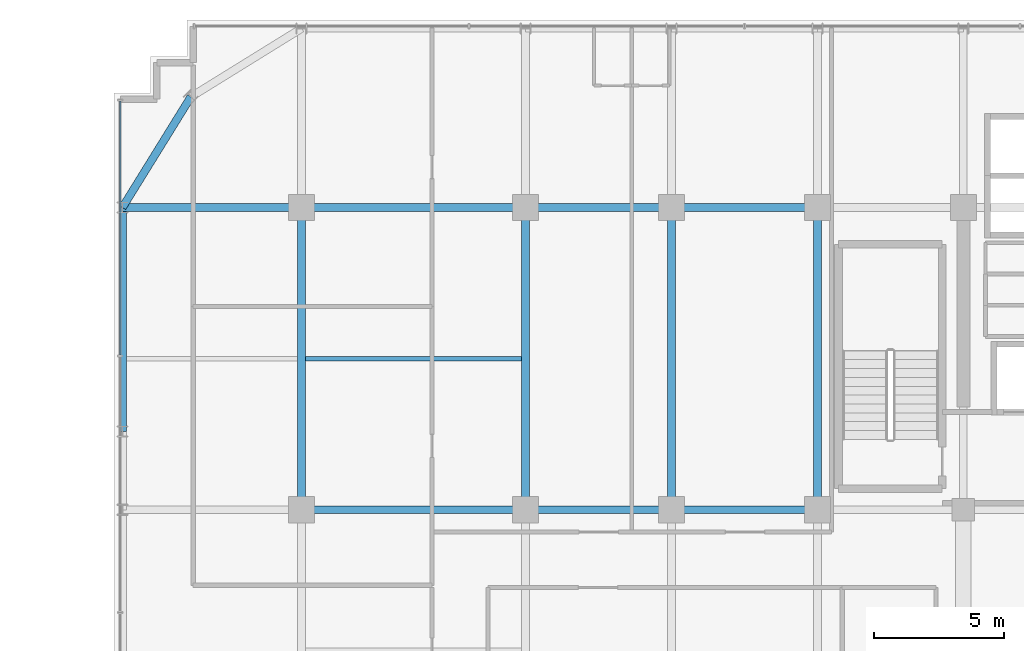
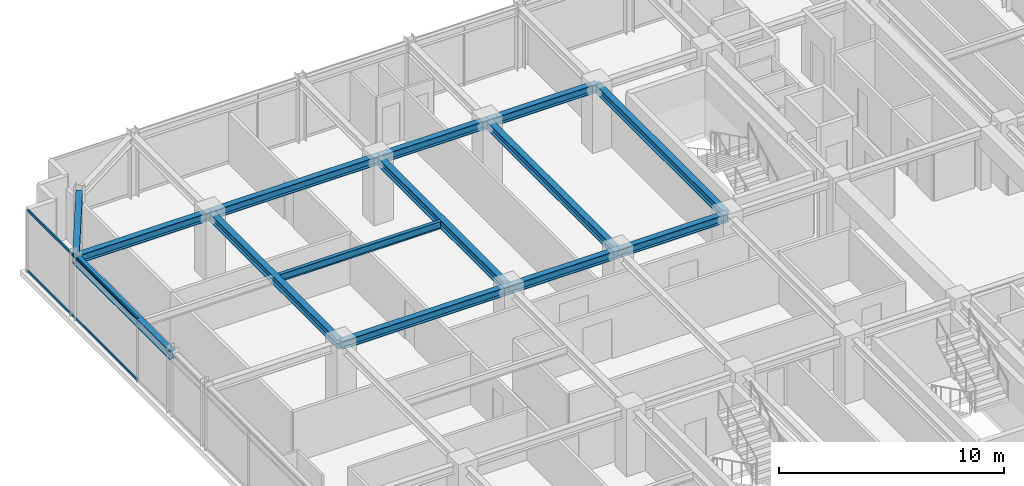
# One storey, part 19 of 35: 14 beams, 2 members, 1 element without a shape of its own.
"""IFC4 building model written with IfcOpenShell, lengths in metres."""

from ifc_helpers import new_model, si_unit, direction, frame, origin, origin_2d, place, context, subcontext, project, spatial, hollow_rectangle, i_section, extrude, source, transform, mapped, material, material_profile, profile_set, type_object, element, aggregate, save


model = new_model("IFC4")

# Units and contexts
model_context = context("Model", 3, precision=1e-05, world=origin(), true_north=direction((0.0, 1.0)))
body_context = subcontext(model_context, "Body", "Model", "MODEL_VIEW")
ifc_project = project(units=[si_unit("LENGTHUNIT", "METRE"), si_unit("AREAUNIT", "SQUARE_METRE"), si_unit("VOLUMEUNIT", "CUBIC_METRE"), si_unit("PLANEANGLEUNIT", "RADIAN"), si_unit("MASSUNIT", "GRAM", prefix="KILO")], contexts=[model_context])

# Site, building, storey
site_placement = place(None, origin())
site = spatial("IfcSite", under=ifc_project, at=site_placement, CompositionType="ELEMENT")
building_placement = place(site_placement, origin())
building = spatial("IfcBuilding", under=site, at=building_placement, Name="Nahalor Promenade Grand Hotel", CompositionType="ELEMENT")
storey_placement = place(building_placement, frame((0.0, 0.0, 245.60009765625)))
storey = spatial("IfcBuildingStorey", under=building, at=storey_placement, Name="L63", CompositionType="ELEMENT", Elevation=245.60009765625)

# Beams
ifc_material_1 = material(Name="Steel S355JR", Category="steel")
ifc_material_profile_1 = material_profile(ifc_material_1, i_section(OverallWidth=0.3, OverallDepth=0.45, WebThickness=0.014, FlangeThickness=0.026, at=origin_2d()), Name="HEB 450")
ifc_profile_set_1 = profile_set([ifc_material_profile_1], Name="Steel S355JR")
beam_type_1 = type_object("IfcBeamType", Name="Beam-Spandrel-HEB450", PredefinedType="SPANDREL", material=ifc_profile_set_1)
shared_shape_1 = source(origin(), body_context, "Body", "SweptSolid", [
    extrude(i_section(OverallWidth=0.3, OverallDepth=0.45, WebThickness=0.014, FlangeThickness=0.026, at=origin_2d()), origin(), (0.0, 0.0, 1.0), 8.60009765625),
])
beam_1_placement = place(storey_placement, frame((-23.8798828125, 8.39990234375, 3.184814453125), z_axis=(0.0, 1.0, 0.0), x_axis=(-1.0, 0.0, 0.0)))
element("IfcBeam", 1, at=beam_1_placement, inside=storey, type_object=beam_type_1, Name="BM-L63-SP-W-4", PredefinedType="SPANDREL", context=body_context, shape_type="MappedRepresentation", body=[
    mapped(shared_shape_1, transform((0.0, 0.0, 0.0), scale=1.0)),
])
shared_shape_2 = source(origin(), body_context, "Body", "SweptSolid", [
    extrude(i_section(OverallWidth=0.3, OverallDepth=0.45, WebThickness=0.014, FlangeThickness=0.026, at=origin_2d()), origin(), (0.0, 0.0, 1.0), 4.997802734375),
])
beam_2_placement = place(storey_placement, frame((-21.25, 21.25, 3.184814453125), z_axis=(-0.526199891161, -0.850360908404, 0.0), x_axis=(0.850360908404, -0.526199891161, 0.0)))
element("IfcBeam", 2, at=beam_2_placement, inside=storey, type_object=beam_type_1, Name="BM-L63-SPC-NW-2", PredefinedType="SPANDREL", context=body_context, shape_type="MappedRepresentation", body=[
    mapped(shared_shape_2, transform((0.0, 0.0, 0.0), scale=1.0)),
])
ifc_material_profile_2 = material_profile(ifc_material_1, i_section(OverallWidth=0.3, OverallDepth=0.45, WebThickness=0.014, FlangeThickness=0.026, at=origin_2d()), Name="HEB 450")
ifc_profile_set_2 = profile_set([ifc_material_profile_2], Name="Steel S355JR")
beam_type_2 = type_object("IfcBeamType", Name="Beam-Girder-HEB450", PredefinedType="BEAM", material=ifc_profile_set_2)
shared_shape_3 = source(origin(), body_context, "Body", "SweptSolid", [
    extrude(i_section(OverallWidth=0.3, OverallDepth=0.45, WebThickness=0.014, FlangeThickness=0.026, at=origin_2d()), origin(), (0.0, 0.0, 1.0), 6.8798828125),
])
beam_3_placement = place(storey_placement, frame((-23.8798828125, 17.0, 3.184814453125), z_axis=(1.0, 0.0, 0.0), x_axis=(0.0, 1.0, 0.0)))
element("IfcBeam", 3, at=beam_3_placement, inside=storey, type_object=beam_type_2, Name="BM-L63-GX-3-0", PredefinedType="BEAM", context=body_context, shape_type="MappedRepresentation", body=[
    mapped(shared_shape_3, transform((0.0, 0.0, 0.0), scale=1.0)),
])
shared_shape_4 = source(origin(), body_context, "Body", "SweptSolid", [
    extrude(i_section(OverallWidth=0.3, OverallDepth=0.45, WebThickness=0.014, FlangeThickness=0.026, at=origin_2d()), origin(), (0.0, 0.0, 1.0), 8.60009765625),
])
for number, where, z_axis, x_axis, name in (
    (4, (-17.0, 5.39990234375, 3.184814453125), (1.0, 0.0, 0.0), (0.0, 1.0, 0.0), "BM-L63-GX-2-1"),
    (5, (-17.0, 17.0, 3.184814453125), (1.0, 0.0, 0.0), (0.0, 1.0, 0.0), "BM-L63-GX-3-1"),
):
    element("IfcBeam", number, at=place(storey_placement, frame(where, z_axis=z_axis, x_axis=x_axis)), inside=storey, type_object=beam_type_2, Name=name, PredefinedType="BEAM", context=body_context, shape_type="MappedRepresentation", body=[
        mapped(shared_shape_4, transform((0.0, 0.0, 0.0), scale=1.0)),
    ])
shared_shape_5 = source(origin(), body_context, "Body", "SweptSolid", [
    extrude(i_section(OverallWidth=0.3, OverallDepth=0.45, WebThickness=0.014, FlangeThickness=0.026, at=origin_2d()), origin(), (0.0, 0.0, 1.0), 5.599853515625),
])
for number, where, z_axis, x_axis, name in (
    (6, (-8.39990234375, 5.39990234375, 3.184814453125), (1.0, 0.0, 0.0), (0.0, 1.0, 0.0), "BM-L63-GX-2-2"),
    (7, (-8.39990234375, 17.0, 3.184814453125), (1.0, 0.0, 0.0), (0.0, 1.0, 0.0), "BM-L63-GX-3-2"),
):
    element("IfcBeam", number, at=place(storey_placement, frame(where, z_axis=z_axis, x_axis=x_axis)), inside=storey, type_object=beam_type_2, Name=name, PredefinedType="BEAM", context=body_context, shape_type="MappedRepresentation", body=[
        mapped(shared_shape_5, transform((0.0, 0.0, 0.0), scale=1.0)),
    ])
shared_shape_6 = source(origin(), body_context, "Body", "SweptSolid", [
    extrude(i_section(OverallWidth=0.3, OverallDepth=0.45, WebThickness=0.014, FlangeThickness=0.026, at=origin_2d()), origin(), (0.0, 0.0, 1.0), 5.60009765625),
])
for number, where, z_axis, x_axis, name in (
    (8, (-2.800048828125, 5.39990234375, 3.184814453125), (1.0, 0.0, 0.0), (0.0, 1.0, 0.0), "BM-L63-GX-2-3"),
    (9, (-2.800048828125, 17.0, 3.184814453125), (1.0, 0.0, 0.0), (0.0, 1.0, 0.0), "BM-L63-GX-3-3"),
):
    element("IfcBeam", number, at=place(storey_placement, frame(where, z_axis=z_axis, x_axis=x_axis)), inside=storey, type_object=beam_type_2, Name=name, PredefinedType="BEAM", context=body_context, shape_type="MappedRepresentation", body=[
        mapped(shared_shape_6, transform((0.0, 0.0, 0.0), scale=1.0)),
    ])
shared_shape_7 = source(origin(), body_context, "Body", "SweptSolid", [
    extrude(i_section(OverallWidth=0.3, OverallDepth=0.45, WebThickness=0.014, FlangeThickness=0.026, at=origin_2d()), origin(), (0.0, 0.0, 1.0), 11.60009765625),
])
for number, where, z_axis, x_axis, name in (
    (10, (-17.0, 5.39990234375, 3.184814453125), (0.0, 1.0, 0.0), (-1.0, 0.0, 0.0), "BM-L63-GY-0-3"),
    (11, (-8.39990234375, 5.39990234375, 3.184814453125), (0.0, 1.0, 0.0), (-1.0, 0.0, 0.0), "BM-L63-GY-1-3"),
    (12, (-2.800048828125, 5.39990234375, 3.184814453125), (0.0, 1.0, 0.0), (-1.0, 0.0, 0.0), "BM-L63-GY-2-3"),
    (13, (2.800048828125, 5.39990234375, 3.184814453125), (0.0, 1.0, 0.0), (-1.0, 0.0, 0.0), "BM-L63-GY-3-3"),
):
    element("IfcBeam", number, at=place(storey_placement, frame(where, z_axis=z_axis, x_axis=x_axis)), inside=storey, type_object=beam_type_2, Name=name, PredefinedType="BEAM", context=body_context, shape_type="MappedRepresentation", body=[
        mapped(shared_shape_7, transform((0.0, 0.0, 0.0), scale=1.0)),
    ])
ifc_material_profile_3 = material_profile(ifc_material_1, i_section(OverallWidth=0.18, OverallDepth=0.4, WebThickness=0.0086, FlangeThickness=0.0135, at=origin_2d()), Name="IPE 400")
ifc_profile_set_3 = profile_set([ifc_material_profile_3], Name="Steel S355JR")
beam_type_3 = type_object("IfcBeamType", Name="Beam-Joist-IPE400", PredefinedType="JOIST", material=ifc_profile_set_3)
shared_shape_8 = source(origin(), body_context, "Body", "SweptSolid", [
    extrude(i_section(OverallWidth=0.18, OverallDepth=0.4, WebThickness=0.0086, FlangeThickness=0.0135, at=origin_2d()), origin(), (0.0, 0.0, 1.0), 8.300048828125),
])
beam_4_placement = place(storey_placement, frame((-16.85009765625, 11.199951171875, 3.2099609375), z_axis=(1.0, 0.0, 0.0), x_axis=(0.0, 1.0, 0.0)))
element("IfcBeam", 14, at=beam_4_placement, inside=storey, type_object=beam_type_3, Name="BM-L63-JSW-1-1", PredefinedType="JOIST", context=body_context, shape_type="MappedRepresentation", body=[
    mapped(shared_shape_8, transform((0.0, 0.0, 0.0), scale=1.0)),
])

# Curtain wall, members
ifc_material_2 = material(Name="Anodised Bronze Aluminium EN AW-6063 T6", Category="aluminium")
curtain_wall_type = type_object("IfcCurtainWallType", Name="CW2 Typical Hotel Flush Bronze Unitised Curtain Wall", PredefinedType="USERDEFINED", material=ifc_material_2)
curtain_wall_placement = place(storey_placement, origin())
curtain_wall = element("IfcCurtainWall", 15, at=curtain_wall_placement, inside=storey, type_object=curtain_wall_type, Name="L63 Curtain Wall CW-L63-W-3", ObjectType="UNITISED_CURTAIN_WALL", PredefinedType="USERDEFINED")
ifc_material_profile_4 = material_profile(ifc_material_2, hollow_rectangle(XDim=0.065, YDim=0.13, WallThickness=0.004, at=origin_2d()), Name="CWT 65x130x4")
ifc_profile_set_4 = profile_set([ifc_material_profile_4], Name="Anodised Bronze Aluminium EN AW-6063 T6")
member_type = type_object("IfcMemberType", Name="CWT2 Typical Bronze Transom 65x130", PredefinedType="USERDEFINED", material=ifc_profile_set_4)
shared_shape_9 = source(origin(), body_context, "Body", "SweptSolid", [
    extrude(hollow_rectangle(XDim=0.065, YDim=0.13, WallThickness=0.004, at=origin_2d()), origin(), (0.0, 0.0, 1.0), 9.755859375),
])
member_1_placement = place(storey_placement, frame((-23.9599609375, 11.339111328125, 0.06494140625), z_axis=(0.0, 1.0, 0.0), x_axis=(-1.0, 0.0, 0.0)))
member_1 = element("IfcMember", 16, at=member_1_placement, type_object=member_type, Name="CW-L63-W-3 Transom 2-0", ObjectType="TRANSOM", PredefinedType="USERDEFINED", context=body_context, shape_type="MappedRepresentation", body=[
    mapped(shared_shape_9, transform((0.0, 0.0, 0.0), scale=1.0)),
])
member_2_placement = place(storey_placement, frame((-23.9599609375, 11.339111328125, 3.344970703125), z_axis=(0.0, 1.0, 0.0), x_axis=(-1.0, 0.0, 0.0)))
member_2 = element("IfcMember", 17, at=member_2_placement, type_object=member_type, Name="CW-L63-W-3 Transom 2-1", ObjectType="TRANSOM", PredefinedType="USERDEFINED", context=body_context, shape_type="MappedRepresentation", body=[
    mapped(shared_shape_9, transform((0.0, 0.0, 0.0), scale=1.0)),
])
aggregate(curtain_wall, [member_1, member_2])

save(model, "model.ifc")
